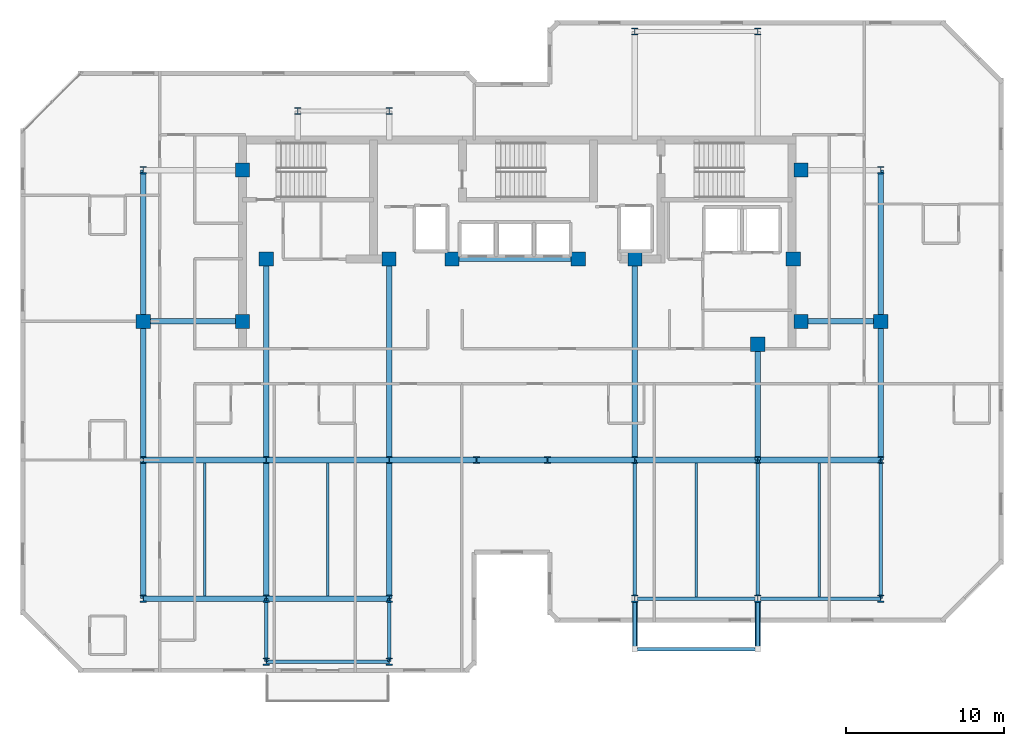
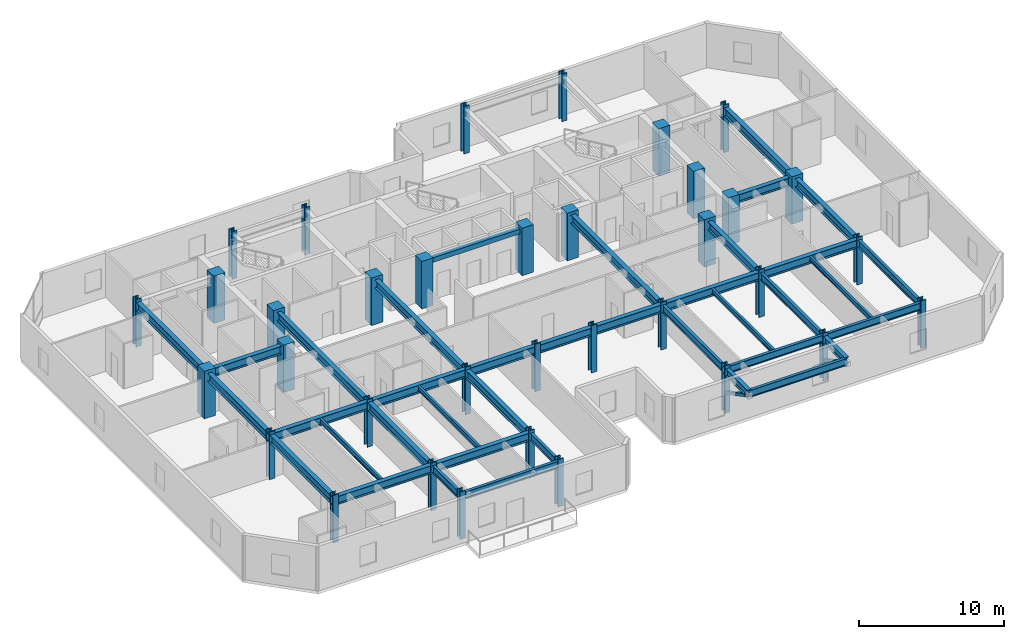
# One storey, part 1 of 10: 38 beams, 35 columns, 2 members.
"""IFC4 building model written with IfcOpenShell, lengths in metres."""

from ifc_helpers import new_model, si_unit, direction, frame, origin, origin_2d, place, context, subcontext, project, spatial, rectangle, hollow_rectangle, i_section, extrude, material, material_profile, profile_set, type_object, element, save


model = new_model("IFC4")

# Units and contexts
model_context = context("Model", 3, precision=1e-05, world=origin(), true_north=direction((0.0, 1.0)))
body_context = subcontext(model_context, "Body", "Model", "MODEL_VIEW")
ifc_project = project(units=[si_unit("LENGTHUNIT", "METRE"), si_unit("AREAUNIT", "SQUARE_METRE"), si_unit("VOLUMEUNIT", "CUBIC_METRE"), si_unit("PLANEANGLEUNIT", "RADIAN"), si_unit("MASSUNIT", "GRAM", prefix="KILO")], contexts=[model_context])

# Site, building, storey
site_placement = place(None, origin())
site = spatial("IfcSite", under=ifc_project, at=site_placement, CompositionType="ELEMENT")
building_placement = place(site_placement, origin())
building = spatial("IfcBuilding", under=site, at=building_placement, Name="Kestravale Grand Hotel", CompositionType="ELEMENT")
storey_placement = place(building_placement, frame((0.0, 0.0, 281.39990234375)))
storey = spatial("IfcBuildingStorey", under=building, at=storey_placement, Name="L70", CompositionType="ELEMENT", Elevation=281.39990234375)

# Columns
ifc_material_1 = material(Name="Concrete f'c 50 MPa", Category="concrete")
ifc_material_profile_1 = material_profile(ifc_material_1, rectangle(XDim=0.89990234375, YDim=0.89990234375, at=origin_2d()))
ifc_profile_set_1 = profile_set([ifc_material_profile_1], Name="Concrete f'c 50 MPa")
column_type_1 = type_object("IfcColumnType", Name="C-Z4-900", PredefinedType="COLUMN", material=ifc_profile_set_1)
for number, where, z_axis, x_axis, name in (
    (1, (15.60009765625, 28.800048828125, 0.0), (0.0, 0.0, 1.0), (1.0, 0.0, 0.0), "L70 column 3-E"),
    (2, (62.39990234375, 28.800048828125, 0.0), (0.0, 0.0, 1.0), (1.0, 0.0, 0.0), "L70 column 10-E"),
    (3, (21.89990234375, 28.800048828125, 0.0), (0.0, 0.0, 1.0), (1.0, 0.0, 0.0), "L70 column CW-E"),
    (4, (21.89990234375, 38.39990234375, 0.0), (0.0, 0.0, 1.0), (1.0, 0.0, 0.0), "L70 column CW-F"),
    (5, (57.35009765625, 28.800048828125, 0.0), (0.0, 0.0, 1.0), (1.0, 0.0, 0.0), "L70 column CE-E"),
    (6, (57.35009765625, 38.39990234375, 0.0), (0.0, 0.0, 1.0), (1.0, 0.0, 0.0), "L70 column CE-F"),
    (7, (23.39990234375, 32.75, 0.0), (0.0, 0.0, 1.0), (1.0, 0.0, 0.0), "L70 column 4-CS"),
    (8, (31.199951171875, 32.75, 0.0), (0.0, 0.0, 1.0), (1.0, 0.0, 0.0), "L70 column 5-CS"),
    (9, (35.199951171875, 32.75, 0.0), (0.0, 0.0, 1.0), (1.0, 0.0, 0.0), "L70 column 6C-CS"),
    (10, (43.199951171875, 32.75, 0.0), (0.0, 0.0, 1.0), (1.0, 0.0, 0.0), "L70 column 7C-CS"),
    (11, (46.800048828125, 32.75, 0.0), (0.0, 0.0, 1.0), (1.0, 0.0, 0.0), "L70 column 8-CS"),
    (12, (54.60009765625, 27.35009765625, 0.0), (0.0, 0.0, 1.0), (1.0, 0.0, 0.0), "L70 column 9-CS"),
    (13, (56.85009765625, 32.75, 0.0), (0.0, 0.0, 1.0), (1.0, 0.0, 0.0), "L70 column 9C-CS"),
):
    element("IfcColumn", number, at=place(storey_placement, frame(where, z_axis=z_axis, x_axis=x_axis)), inside=storey, type_object=column_type_1, Name=name, PredefinedType="COLUMN", context=body_context, shape_type="SweptSolid", body=[
        extrude(rectangle(XDim=0.89990234375, YDim=0.89990234375, at=origin_2d()), origin(), (0.0, 0.0, 1.0), 4.0),
    ])
ifc_material_2 = material(Name="Steel ASTM A992 Grade 50", Category="steel")
ifc_material_profile_2 = material_profile(ifc_material_2, i_section(OverallWidth=0.422119140625, OverallDepth=0.465087890625, WebThickness=0.044921875, FlangeThickness=0.072509765625, FilletRadius=0.0166015625, at=origin_2d()))
ifc_profile_set_2 = profile_set([ifc_material_profile_2], Name="Steel ASTM A992 Grade 50")
column_type_2 = type_object("IfcColumnType", Name="C-Z4-W14X398", PredefinedType="COLUMN", material=ifc_profile_set_2)
for number, where, z_axis, x_axis, name in (
    (14, (15.60009765625, 11.199951171875, 0.0), (0.0, 0.0, 1.0), (1.0, 0.0, 0.0), "L70 column 3-C"),
    (15, (15.60009765625, 20.0, 0.0), (0.0, 0.0, 1.0), (1.0, 0.0, 0.0), "L70 column 3-D"),
    (16, (15.60009765625, 38.39990234375, 0.0), (0.0, 0.0, 1.0), (1.0, 0.0, 0.0), "L70 column 3-F"),
    (17, (23.39990234375, 11.199951171875, 0.0), (0.0, 0.0, 1.0), (1.0, 0.0, 0.0), "L70 column 4-C"),
    (18, (23.39990234375, 20.0, 0.0), (0.0, 0.0, 1.0), (1.0, 0.0, 0.0), "L70 column 4-D"),
    (19, (31.199951171875, 11.199951171875, 0.0), (0.0, 0.0, 1.0), (1.0, 0.0, 0.0), "L70 column 5-C"),
    (20, (31.199951171875, 20.0, 0.0), (0.0, 0.0, 1.0), (1.0, 0.0, 0.0), "L70 column 5-D"),
    (21, (36.75, 20.0, 0.0), (0.0, 0.0, 1.0), (1.0, 0.0, 0.0), "L70 column 6-D"),
    (22, (41.25, 20.0, 0.0), (0.0, 0.0, 1.0), (1.0, 0.0, 0.0), "L70 column 7-D"),
    (23, (46.800048828125, 11.199951171875, 0.0), (0.0, 0.0, 1.0), (1.0, 0.0, 0.0), "L70 column 8-C"),
    (24, (46.800048828125, 20.0, 0.0), (0.0, 0.0, 1.0), (1.0, 0.0, 0.0), "L70 column 8-D"),
    (25, (46.800048828125, 47.199951171875, 0.0), (0.0, 0.0, 1.0), (1.0, 0.0, 0.0), "L70 column 8-G"),
    (26, (54.60009765625, 11.199951171875, 0.0), (0.0, 0.0, 1.0), (1.0, 0.0, 0.0), "L70 column 9-C"),
    (27, (54.60009765625, 20.0, 0.0), (0.0, 0.0, 1.0), (1.0, 0.0, 0.0), "L70 column 9-D"),
    (28, (54.60009765625, 47.199951171875, 0.0), (0.0, 0.0, 1.0), (1.0, 0.0, 0.0), "L70 column 9-G"),
    (29, (62.39990234375, 11.199951171875, 0.0), (0.0, 0.0, 1.0), (1.0, 0.0, 0.0), "L70 column 10-C"),
    (30, (62.39990234375, 20.0, 0.0), (0.0, 0.0, 1.0), (1.0, 0.0, 0.0), "L70 column 10-D"),
    (31, (62.39990234375, 38.39990234375, 0.0), (0.0, 0.0, 1.0), (1.0, 0.0, 0.0), "L70 column 10-F"),
    (32, (23.39990234375, 7.199951171875, 0.0), (0.0, 0.0, 1.0), (1.0, 0.0, 0.0), "L70 column 4-BS"),
    (33, (31.199951171875, 7.199951171875, 0.0), (0.0, 0.0, 1.0), (1.0, 0.0, 0.0), "L70 column 5-BS"),
    (34, (25.39990234375, 42.14990234375, 0.0), (0.0, 0.0, 1.0), (1.0, 0.0, 0.0), "L70 column 4-FN"),
    (35, (31.199951171875, 42.14990234375, 0.0), (0.0, 0.0, 1.0), (1.0, 0.0, 0.0), "L70 column 5-FN"),
):
    element("IfcColumn", number, at=place(storey_placement, frame(where, z_axis=z_axis, x_axis=x_axis)), inside=storey, type_object=column_type_2, Name=name, PredefinedType="COLUMN", context=body_context, shape_type="SweptSolid", body=[
        extrude(i_section(OverallWidth=0.422119140625, OverallDepth=0.465087890625, WebThickness=0.044921875, FlangeThickness=0.072509765625, FilletRadius=0.0166015625, at=origin_2d()), origin(), (0.0, 0.0, 1.0), 4.0),
    ])

# Beams
ifc_material_3 = material(Name="Steel ASTM A992 Grade 50", Category="steel")
ifc_material_profile_3 = material_profile(ifc_material_3, i_section(OverallWidth=0.177978515625, OverallDepth=0.404052734375, WebThickness=0.007568359375, FlangeThickness=0.010986328125, FilletRadius=0.01416015625, at=origin_2d()))
ifc_profile_set_3 = profile_set([ifc_material_profile_3], Name="Steel ASTM A992 Grade 50")
beam_type_1 = type_object("IfcBeamType", Name="B-FLR-JST16", PredefinedType="JOIST", material=ifc_profile_set_3)
for number, where, z_axis, x_axis, name in (
    (36, (19.5, 11.3779296875, 3.55810546875), (0.0, 1.0, 0.0), (-1.0, 0.0, 0.0), "L70 floor joist 3-4/C-D #1"),
    (37, (27.300048828125, 11.3779296875, 3.55810546875), (0.0, 1.0, 0.0), (-1.0, 0.0, 0.0), "L70 floor joist 4-5/C-D #1"),
):
    element("IfcBeam", number, at=place(storey_placement, frame(where, z_axis=z_axis, x_axis=x_axis)), inside=storey, type_object=beam_type_1, Name=name, PredefinedType="JOIST", context=body_context, shape_type="SweptSolid", body=[
        extrude(i_section(OverallWidth=0.177978515625, OverallDepth=0.404052734375, WebThickness=0.007568359375, FlangeThickness=0.010986328125, FilletRadius=0.01416015625, at=origin_2d()), origin(), (0.0, 0.0, 1.0), 8.444091796875),
    ])
for number, where, z_axis, x_axis, name in (
    (38, (50.699951171875, 11.314453125, 3.55810546875), (0.0, 1.0, 0.0), (-1.0, 0.0, 0.0), "L70 floor joist 8-9/C-D #1"),
    (39, (58.5, 11.314453125, 3.55810546875), (0.0, 1.0, 0.0), (-1.0, 0.0, 0.0), "L70 floor joist 9-10/C-D #1"),
):
    element("IfcBeam", number, at=place(storey_placement, frame(where, z_axis=z_axis, x_axis=x_axis)), inside=storey, type_object=beam_type_1, Name=name, PredefinedType="JOIST", context=body_context, shape_type="SweptSolid", body=[
        extrude(i_section(OverallWidth=0.177978515625, OverallDepth=0.404052734375, WebThickness=0.007568359375, FlangeThickness=0.010986328125, FilletRadius=0.01416015625, at=origin_2d()), origin(), (0.0, 0.0, 1.0), 8.507568359375),
    ])
ifc_material_4 = material(Name="Concrete f'c 45 MPa", Category="concrete")
ifc_material_profile_4 = material_profile(ifc_material_4, rectangle(XDim=0.300048828125, YDim=0.39990234375, at=origin_2d()))
ifc_profile_set_4 = profile_set([ifc_material_profile_4], Name="Concrete f'c 45 MPa")
beam_type_2 = type_object("IfcBeamType", Name="B-FLR-LNT400", PredefinedType="LINTEL", material=ifc_profile_set_4)
beam_1_placement = place(storey_placement, frame((35.199951171875, 32.75, 3.56005859375), z_axis=(1.0, 0.0, 0.0), x_axis=(0.0, 1.0, 0.0)))
element("IfcBeam", 40, at=beam_1_placement, inside=storey, type_object=beam_type_2, Name="L70 core portal header lintel", PredefinedType="LINTEL", context=body_context, shape_type="SweptSolid", body=[
    extrude(rectangle(XDim=0.300048828125, YDim=0.39990234375, at=origin_2d()), origin(), (0.0, 0.0, 1.0), 8.0),
])
ifc_material_5 = material(Name="Steel ASTM A992 Grade 50", Category="steel")
ifc_material_profile_5 = material_profile(ifc_material_5, i_section(OverallWidth=0.324951171875, OverallDepth=0.612060546875, WebThickness=0.0126953125, FlangeThickness=0.01904296875, FilletRadius=0.018798828125, at=origin_2d()))
ifc_profile_set_5 = profile_set([ifc_material_profile_5], Name="Steel ASTM A992 Grade 50")
beam_type_3 = type_object("IfcBeamType", Name="B-FLR-W24A", PredefinedType="SPANDREL", material=ifc_profile_set_5)
for number, where, z_axis, x_axis, name in (
    (41, (46.800048828125, 11.199951171875, 3.424072265625), (0.0, -1.0, 0.0), (1.0, 0.0, 0.0), "L71 terrace cantilever beam 1"),
    (42, (54.60009765625, 11.199951171875, 3.424072265625), (0.0, -1.0, 0.0), (1.0, 0.0, 0.0), "L71 terrace cantilever beam 2"),
):
    element("IfcBeam", number, at=place(storey_placement, frame(where, z_axis=z_axis, x_axis=x_axis)), inside=storey, type_object=beam_type_3, Name=name, PredefinedType="SPANDREL", context=body_context, shape_type="SweptSolid", body=[
        extrude(i_section(OverallWidth=0.324951171875, OverallDepth=0.612060546875, WebThickness=0.0126953125, FlangeThickness=0.01904296875, FilletRadius=0.018798828125, at=origin_2d()), origin(), (0.0, 0.0, 1.0), 3.199951171875),
    ])
ifc_material_6 = material(Name="Steel ASTM A992 Grade 50", Category="steel")
ifc_material_profile_6 = material_profile(ifc_material_6, i_section(OverallWidth=0.22900390625, OverallDepth=0.612060546875, WebThickness=0.011962890625, FlangeThickness=0.01953125, FilletRadius=0.019287109375, at=origin_2d()))
ifc_profile_set_6 = profile_set([ifc_material_profile_6], Name="Steel ASTM A992 Grade 50")
beam_type_4 = type_object("IfcBeamType", Name="B-FLR-W24B", PredefinedType="SPANDREL", material=ifc_profile_set_6)
beam_2_placement = place(storey_placement, frame((46.800048828125, 11.199951171875, 3.4541015625), z_axis=(1.0, 0.0, 0.0), x_axis=(0.0, 1.0, 0.0)))
element("IfcBeam", 43, at=beam_2_placement, inside=storey, type_object=beam_type_4, Name="L70 spandrel C:8-9", PredefinedType="SPANDREL", context=body_context, shape_type="SweptSolid", body=[
    extrude(i_section(OverallWidth=0.22900390625, OverallDepth=0.612060546875, WebThickness=0.011962890625, FlangeThickness=0.01953125, FilletRadius=0.019287109375, at=origin_2d()), origin(), (0.0, 0.0, 1.0), 7.800048828125),
])
beam_3_placement = place(storey_placement, frame((54.60009765625, 11.199951171875, 3.4541015625), z_axis=(1.0, 0.0, 0.0), x_axis=(0.0, 1.0, 0.0)))
element("IfcBeam", 44, at=beam_3_placement, inside=storey, type_object=beam_type_4, Name="L70 spandrel C:9-10", PredefinedType="SPANDREL", context=body_context, shape_type="SweptSolid", body=[
    extrude(i_section(OverallWidth=0.22900390625, OverallDepth=0.612060546875, WebThickness=0.011962890625, FlangeThickness=0.01953125, FilletRadius=0.019287109375, at=origin_2d()), origin(), (0.0, 0.0, 1.0), 7.7998046875),
])
beam_4_placement = place(storey_placement, frame((23.39990234375, 7.199951171875, 3.4541015625), z_axis=(1.0, 0.0, 0.0), x_axis=(0.0, 1.0, 0.0)))
element("IfcBeam", 45, at=beam_4_placement, inside=storey, type_object=beam_type_4, Name="L70 perimeter tie spandrel BS:4-5", PredefinedType="SPANDREL", context=body_context, shape_type="SweptSolid", body=[
    extrude(i_section(OverallWidth=0.22900390625, OverallDepth=0.612060546875, WebThickness=0.011962890625, FlangeThickness=0.01953125, FilletRadius=0.019287109375, at=origin_2d()), origin(), (0.0, 0.0, 1.0), 7.800048828125),
])
for number, where, z_axis, x_axis, name in (
    (46, (23.39990234375, 7.199951171875, 3.4541015625), (0.0, 1.0, 0.0), (-1.0, 0.0, 0.0), "L70 spandrel 4:BS-C"),
    (47, (31.199951171875, 7.199951171875, 3.4541015625), (0.0, 1.0, 0.0), (-1.0, 0.0, 0.0), "L70 spandrel 5:BS-C"),
):
    element("IfcBeam", number, at=place(storey_placement, frame(where, z_axis=z_axis, x_axis=x_axis)), inside=storey, type_object=beam_type_4, Name=name, PredefinedType="SPANDREL", context=body_context, shape_type="SweptSolid", body=[
        extrude(i_section(OverallWidth=0.22900390625, OverallDepth=0.612060546875, WebThickness=0.011962890625, FlangeThickness=0.01953125, FilletRadius=0.019287109375, at=origin_2d()), origin(), (0.0, 0.0, 1.0), 4.0),
    ])
for number, where, z_axis, x_axis, name in (
    (48, (46.800048828125, 11.199951171875, 3.4541015625), (0.0, 1.0, 0.0), (-1.0, 0.0, 0.0), "L70 spandrel 8:C-D"),
    (49, (54.60009765625, 11.199951171875, 3.4541015625), (0.0, 1.0, 0.0), (-1.0, 0.0, 0.0), "L70 spandrel 9:C-D"),
    (50, (62.39990234375, 11.199951171875, 3.4541015625), (0.0, 1.0, 0.0), (-1.0, 0.0, 0.0), "L70 spandrel 10:C-D"),
):
    element("IfcBeam", number, at=place(storey_placement, frame(where, z_axis=z_axis, x_axis=x_axis)), inside=storey, type_object=beam_type_4, Name=name, PredefinedType="SPANDREL", context=body_context, shape_type="SweptSolid", body=[
        extrude(i_section(OverallWidth=0.22900390625, OverallDepth=0.612060546875, WebThickness=0.011962890625, FlangeThickness=0.01953125, FilletRadius=0.019287109375, at=origin_2d()), origin(), (0.0, 0.0, 1.0), 8.800048828125),
    ])
beam_5_placement = place(storey_placement, frame((46.800048828125, 8.0, 3.424072265625), z_axis=(1.0, 0.0, 0.0), x_axis=(0.0, 1.0, 0.0)))
element("IfcBeam", 51, at=beam_5_placement, inside=storey, type_object=beam_type_4, Name="L71 terrace edge spandrel", PredefinedType="SPANDREL", context=body_context, shape_type="SweptSolid", body=[
    extrude(i_section(OverallWidth=0.22900390625, OverallDepth=0.612060546875, WebThickness=0.011962890625, FlangeThickness=0.01953125, FilletRadius=0.019287109375, at=origin_2d()), origin(), (0.0, 0.0, 1.0), 7.800048828125),
])
ifc_material_7 = material(Name="Steel ASTM A992 Grade 50", Category="steel")
ifc_material_profile_7 = material_profile(ifc_material_7, i_section(OverallWidth=0.35595703125, OverallDepth=0.696044921875, WebThickness=0.015380859375, FlangeThickness=0.02490234375, FilletRadius=0.021240234375, at=origin_2d()))
ifc_profile_set_7 = profile_set([ifc_material_profile_7], Name="Steel ASTM A992 Grade 50")
beam_type_5 = type_object("IfcBeamType", Name="B-GRD-W27", PredefinedType="BEAM", material=ifc_profile_set_7)
beam_6_placement = place(storey_placement, frame((15.60009765625, 11.199951171875, 3.412109375), z_axis=(1.0, 0.0, 0.0), x_axis=(0.0, 1.0, 0.0)))
element("IfcBeam", 52, at=beam_6_placement, inside=storey, type_object=beam_type_5, Name="L70 girder C:3-4", PredefinedType="BEAM", context=body_context, shape_type="SweptSolid", body=[
    extrude(i_section(OverallWidth=0.35595703125, OverallDepth=0.696044921875, WebThickness=0.015380859375, FlangeThickness=0.02490234375, FilletRadius=0.021240234375, at=origin_2d()), origin(), (0.0, 0.0, 1.0), 7.7998046875),
])
beam_7_placement = place(storey_placement, frame((23.39990234375, 11.199951171875, 3.412109375), z_axis=(1.0, 0.0, 0.0), x_axis=(0.0, 1.0, 0.0)))
element("IfcBeam", 53, at=beam_7_placement, inside=storey, type_object=beam_type_5, Name="L70 girder C:4-5", PredefinedType="BEAM", context=body_context, shape_type="SweptSolid", body=[
    extrude(i_section(OverallWidth=0.35595703125, OverallDepth=0.696044921875, WebThickness=0.015380859375, FlangeThickness=0.02490234375, FilletRadius=0.021240234375, at=origin_2d()), origin(), (0.0, 0.0, 1.0), 7.800048828125),
])
beam_8_placement = place(storey_placement, frame((15.60009765625, 20.0, 3.412109375), z_axis=(1.0, 0.0, 0.0), x_axis=(0.0, 1.0, 0.0)))
element("IfcBeam", 54, at=beam_8_placement, inside=storey, type_object=beam_type_5, Name="L70 girder D:3-4", PredefinedType="BEAM", context=body_context, shape_type="SweptSolid", body=[
    extrude(i_section(OverallWidth=0.35595703125, OverallDepth=0.696044921875, WebThickness=0.015380859375, FlangeThickness=0.02490234375, FilletRadius=0.021240234375, at=origin_2d()), origin(), (0.0, 0.0, 1.0), 7.7998046875),
])
beam_9_placement = place(storey_placement, frame((23.39990234375, 20.0, 3.412109375), z_axis=(1.0, 0.0, 0.0), x_axis=(0.0, 1.0, 0.0)))
element("IfcBeam", 55, at=beam_9_placement, inside=storey, type_object=beam_type_5, Name="L70 girder D:4-5", PredefinedType="BEAM", context=body_context, shape_type="SweptSolid", body=[
    extrude(i_section(OverallWidth=0.35595703125, OverallDepth=0.696044921875, WebThickness=0.015380859375, FlangeThickness=0.02490234375, FilletRadius=0.021240234375, at=origin_2d()), origin(), (0.0, 0.0, 1.0), 7.800048828125),
])
beam_10_placement = place(storey_placement, frame((31.199951171875, 20.0, 3.412109375), z_axis=(1.0, 0.0, 0.0), x_axis=(0.0, 1.0, 0.0)))
element("IfcBeam", 56, at=beam_10_placement, inside=storey, type_object=beam_type_5, Name="L70 girder D:5-6", PredefinedType="BEAM", context=body_context, shape_type="SweptSolid", body=[
    extrude(i_section(OverallWidth=0.35595703125, OverallDepth=0.696044921875, WebThickness=0.015380859375, FlangeThickness=0.02490234375, FilletRadius=0.021240234375, at=origin_2d()), origin(), (0.0, 0.0, 1.0), 5.550048828125),
])
beam_11_placement = place(storey_placement, frame((36.75, 20.0, 3.412109375), z_axis=(1.0, 0.0, 0.0), x_axis=(0.0, 1.0, 0.0)))
element("IfcBeam", 57, at=beam_11_placement, inside=storey, type_object=beam_type_5, Name="L70 girder D:6-7", PredefinedType="BEAM", context=body_context, shape_type="SweptSolid", body=[
    extrude(i_section(OverallWidth=0.35595703125, OverallDepth=0.696044921875, WebThickness=0.015380859375, FlangeThickness=0.02490234375, FilletRadius=0.021240234375, at=origin_2d()), origin(), (0.0, 0.0, 1.0), 4.5),
])
beam_12_placement = place(storey_placement, frame((41.25, 20.0, 3.412109375), z_axis=(1.0, 0.0, 0.0), x_axis=(0.0, 1.0, 0.0)))
element("IfcBeam", 58, at=beam_12_placement, inside=storey, type_object=beam_type_5, Name="L70 girder D:7-8", PredefinedType="BEAM", context=body_context, shape_type="SweptSolid", body=[
    extrude(i_section(OverallWidth=0.35595703125, OverallDepth=0.696044921875, WebThickness=0.015380859375, FlangeThickness=0.02490234375, FilletRadius=0.021240234375, at=origin_2d()), origin(), (0.0, 0.0, 1.0), 5.550048828125),
])
beam_13_placement = place(storey_placement, frame((46.800048828125, 20.0, 3.412109375), z_axis=(1.0, 0.0, 0.0), x_axis=(0.0, 1.0, 0.0)))
element("IfcBeam", 59, at=beam_13_placement, inside=storey, type_object=beam_type_5, Name="L70 girder D:8-9", PredefinedType="BEAM", context=body_context, shape_type="SweptSolid", body=[
    extrude(i_section(OverallWidth=0.35595703125, OverallDepth=0.696044921875, WebThickness=0.015380859375, FlangeThickness=0.02490234375, FilletRadius=0.021240234375, at=origin_2d()), origin(), (0.0, 0.0, 1.0), 7.800048828125),
])
beam_14_placement = place(storey_placement, frame((54.60009765625, 20.0, 3.412109375), z_axis=(1.0, 0.0, 0.0), x_axis=(0.0, 1.0, 0.0)))
element("IfcBeam", 60, at=beam_14_placement, inside=storey, type_object=beam_type_5, Name="L70 girder D:9-10", PredefinedType="BEAM", context=body_context, shape_type="SweptSolid", body=[
    extrude(i_section(OverallWidth=0.35595703125, OverallDepth=0.696044921875, WebThickness=0.015380859375, FlangeThickness=0.02490234375, FilletRadius=0.021240234375, at=origin_2d()), origin(), (0.0, 0.0, 1.0), 7.7998046875),
])
beam_15_placement = place(storey_placement, frame((15.60009765625, 28.800048828125, 3.412109375), z_axis=(1.0, 0.0, 0.0), x_axis=(0.0, 1.0, 0.0)))
element("IfcBeam", 61, at=beam_15_placement, inside=storey, type_object=beam_type_5, Name="L70 girder E:3-CW", PredefinedType="BEAM", context=body_context, shape_type="SweptSolid", body=[
    extrude(i_section(OverallWidth=0.35595703125, OverallDepth=0.696044921875, WebThickness=0.015380859375, FlangeThickness=0.02490234375, FilletRadius=0.021240234375, at=origin_2d()), origin(), (0.0, 0.0, 1.0), 6.2998046875),
])
beam_16_placement = place(storey_placement, frame((57.35009765625, 28.800048828125, 3.412109375), z_axis=(1.0, 0.0, 0.0), x_axis=(0.0, 1.0, 0.0)))
element("IfcBeam", 62, at=beam_16_placement, inside=storey, type_object=beam_type_5, Name="L70 girder E:CE-10", PredefinedType="BEAM", context=body_context, shape_type="SweptSolid", body=[
    extrude(i_section(OverallWidth=0.35595703125, OverallDepth=0.696044921875, WebThickness=0.015380859375, FlangeThickness=0.02490234375, FilletRadius=0.021240234375, at=origin_2d()), origin(), (0.0, 0.0, 1.0), 5.0498046875),
])
for number, where, z_axis, x_axis, name in (
    (63, (15.60009765625, 11.199951171875, 3.412109375), (0.0, 1.0, 0.0), (-1.0, 0.0, 0.0), "L70 girder 3:C-D"),
    (64, (15.60009765625, 20.0, 3.412109375), (0.0, 1.0, 0.0), (-1.0, 0.0, 0.0), "L70 girder 3:D-E"),
):
    element("IfcBeam", number, at=place(storey_placement, frame(where, z_axis=z_axis, x_axis=x_axis)), inside=storey, type_object=beam_type_5, Name=name, PredefinedType="BEAM", context=body_context, shape_type="SweptSolid", body=[
        extrude(i_section(OverallWidth=0.35595703125, OverallDepth=0.696044921875, WebThickness=0.015380859375, FlangeThickness=0.02490234375, FilletRadius=0.021240234375, at=origin_2d()), origin(), (0.0, 0.0, 1.0), 8.800048828125),
    ])
beam_17_placement = place(storey_placement, frame((15.60009765625, 28.800048828125, 3.412109375), z_axis=(0.0, 1.0, 0.0), x_axis=(-1.0, 0.0, 0.0)))
element("IfcBeam", 65, at=beam_17_placement, inside=storey, type_object=beam_type_5, Name="L70 girder 3:E-F", PredefinedType="BEAM", context=body_context, shape_type="SweptSolid", body=[
    extrude(i_section(OverallWidth=0.35595703125, OverallDepth=0.696044921875, WebThickness=0.015380859375, FlangeThickness=0.02490234375, FilletRadius=0.021240234375, at=origin_2d()), origin(), (0.0, 0.0, 1.0), 9.599853515625),
])
beam_18_placement = place(storey_placement, frame((23.39990234375, 11.199951171875, 3.412109375), z_axis=(0.0, 1.0, 0.0), x_axis=(-1.0, 0.0, 0.0)))
element("IfcBeam", 66, at=beam_18_placement, inside=storey, type_object=beam_type_5, Name="L70 girder 4:C-D", PredefinedType="BEAM", context=body_context, shape_type="SweptSolid", body=[
    extrude(i_section(OverallWidth=0.35595703125, OverallDepth=0.696044921875, WebThickness=0.015380859375, FlangeThickness=0.02490234375, FilletRadius=0.021240234375, at=origin_2d()), origin(), (0.0, 0.0, 1.0), 8.800048828125),
])
beam_19_placement = place(storey_placement, frame((23.39990234375, 20.0, 3.412109375), z_axis=(0.0, 1.0, 0.0), x_axis=(-1.0, 0.0, 0.0)))
element("IfcBeam", 67, at=beam_19_placement, inside=storey, type_object=beam_type_5, Name="L70 girder 4:D-CS", PredefinedType="BEAM", context=body_context, shape_type="SweptSolid", body=[
    extrude(i_section(OverallWidth=0.35595703125, OverallDepth=0.696044921875, WebThickness=0.015380859375, FlangeThickness=0.02490234375, FilletRadius=0.021240234375, at=origin_2d()), origin(), (0.0, 0.0, 1.0), 12.75),
])
beam_20_placement = place(storey_placement, frame((31.199951171875, 11.199951171875, 3.412109375), z_axis=(0.0, 1.0, 0.0), x_axis=(-1.0, 0.0, 0.0)))
element("IfcBeam", 68, at=beam_20_placement, inside=storey, type_object=beam_type_5, Name="L70 girder 5:C-D", PredefinedType="BEAM", context=body_context, shape_type="SweptSolid", body=[
    extrude(i_section(OverallWidth=0.35595703125, OverallDepth=0.696044921875, WebThickness=0.015380859375, FlangeThickness=0.02490234375, FilletRadius=0.021240234375, at=origin_2d()), origin(), (0.0, 0.0, 1.0), 8.800048828125),
])
for number, where, z_axis, x_axis, name in (
    (69, (31.199951171875, 20.0, 3.412109375), (0.0, 1.0, 0.0), (-1.0, 0.0, 0.0), "L70 girder 5:D-CS"),
    (70, (46.800048828125, 20.0, 3.412109375), (0.0, 1.0, 0.0), (-1.0, 0.0, 0.0), "L70 girder 8:D-CS"),
):
    element("IfcBeam", number, at=place(storey_placement, frame(where, z_axis=z_axis, x_axis=x_axis)), inside=storey, type_object=beam_type_5, Name=name, PredefinedType="BEAM", context=body_context, shape_type="SweptSolid", body=[
        extrude(i_section(OverallWidth=0.35595703125, OverallDepth=0.696044921875, WebThickness=0.015380859375, FlangeThickness=0.02490234375, FilletRadius=0.021240234375, at=origin_2d()), origin(), (0.0, 0.0, 1.0), 12.75),
    ])
beam_21_placement = place(storey_placement, frame((54.60009765625, 20.0, 3.412109375), z_axis=(0.0, 1.0, 0.0), x_axis=(-1.0, 0.0, 0.0)))
element("IfcBeam", 71, at=beam_21_placement, inside=storey, type_object=beam_type_5, Name="L70 girder 9:D-CS", PredefinedType="BEAM", context=body_context, shape_type="SweptSolid", body=[
    extrude(i_section(OverallWidth=0.35595703125, OverallDepth=0.696044921875, WebThickness=0.015380859375, FlangeThickness=0.02490234375, FilletRadius=0.021240234375, at=origin_2d()), origin(), (0.0, 0.0, 1.0), 7.35009765625),
])
beam_22_placement = place(storey_placement, frame((62.39990234375, 20.0, 3.412109375), z_axis=(0.0, 1.0, 0.0), x_axis=(-1.0, 0.0, 0.0)))
element("IfcBeam", 72, at=beam_22_placement, inside=storey, type_object=beam_type_5, Name="L70 girder 10:D-E", PredefinedType="BEAM", context=body_context, shape_type="SweptSolid", body=[
    extrude(i_section(OverallWidth=0.35595703125, OverallDepth=0.696044921875, WebThickness=0.015380859375, FlangeThickness=0.02490234375, FilletRadius=0.021240234375, at=origin_2d()), origin(), (0.0, 0.0, 1.0), 8.800048828125),
])
beam_23_placement = place(storey_placement, frame((62.39990234375, 28.800048828125, 3.412109375), z_axis=(0.0, 1.0, 0.0), x_axis=(-1.0, 0.0, 0.0)))
element("IfcBeam", 73, at=beam_23_placement, inside=storey, type_object=beam_type_5, Name="L70 girder 10:E-F", PredefinedType="BEAM", context=body_context, shape_type="SweptSolid", body=[
    extrude(i_section(OverallWidth=0.35595703125, OverallDepth=0.696044921875, WebThickness=0.015380859375, FlangeThickness=0.02490234375, FilletRadius=0.021240234375, at=origin_2d()), origin(), (0.0, 0.0, 1.0), 9.599853515625),
])

# Members
ifc_material_8 = material(Name="Steel ASTM A500 Grade C", Category="steel")
ifc_material_profile_8 = material_profile(ifc_material_8, hollow_rectangle(XDim=0.25, YDim=0.25, WallThickness=0.011962890625, InnerFilletRadius=0.011962890625, OuterFilletRadius=0.02392578125, at=origin_2d()))
ifc_profile_set_8 = profile_set([ifc_material_profile_8], Name="Steel ASTM A500 Grade C")
member_type = type_object("IfcMemberType", Name="M-BLT-STR250", PredefinedType="STRUT", material=ifc_profile_set_8)
for number, where, z_axis, x_axis, name in (
    (74, (46.800048828125, 11.199951171875, 1.57421875), (0.0, -0.883118336548, 0.46915029964), (1.0, 0.0, 0.0), "L71 terrace knee-brace strut 1"),
    (75, (54.60009765625, 11.199951171875, 1.57421875), (0.0, -0.883118336548, 0.46915029964), (1.0, 0.0, 0.0), "L71 terrace knee-brace strut 2"),
):
    element("IfcMember", number, at=place(storey_placement, frame(where, z_axis=z_axis, x_axis=x_axis)), inside=storey, type_object=member_type, Name=name, PredefinedType="STRUT", context=body_context, shape_type="SweptSolid", body=[
        extrude(hollow_rectangle(XDim=0.25, YDim=0.25, WallThickness=0.011962890625, InnerFilletRadius=0.011962890625, OuterFilletRadius=0.02392578125, at=origin_2d()), origin(), (0.0, 0.0, 1.0), 3.62353515625),
    ])

save(model, "model.ifc")
